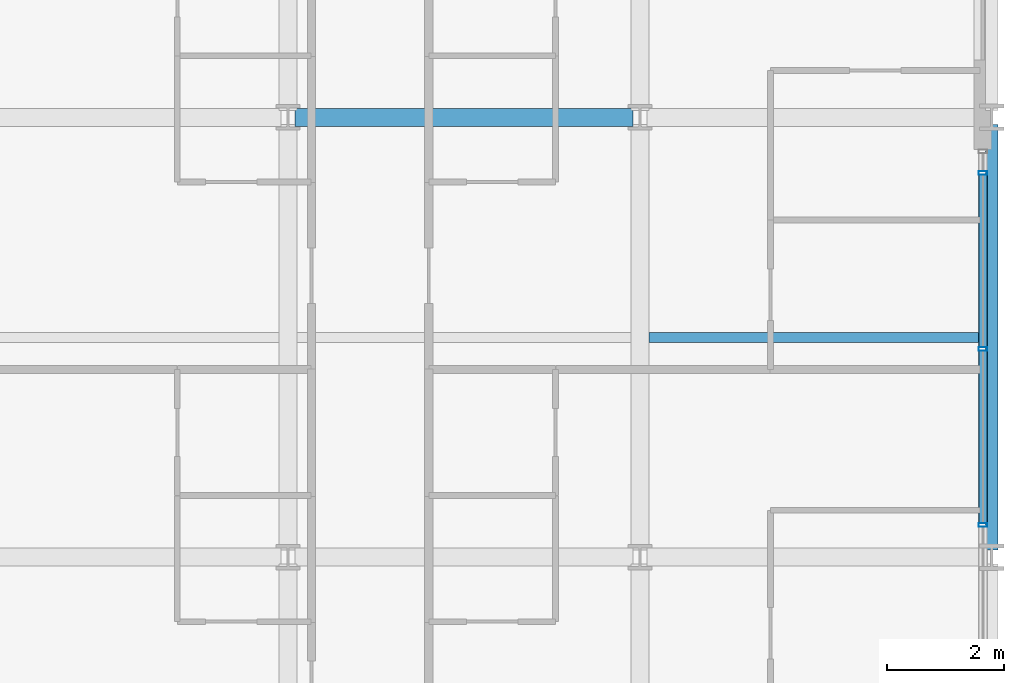
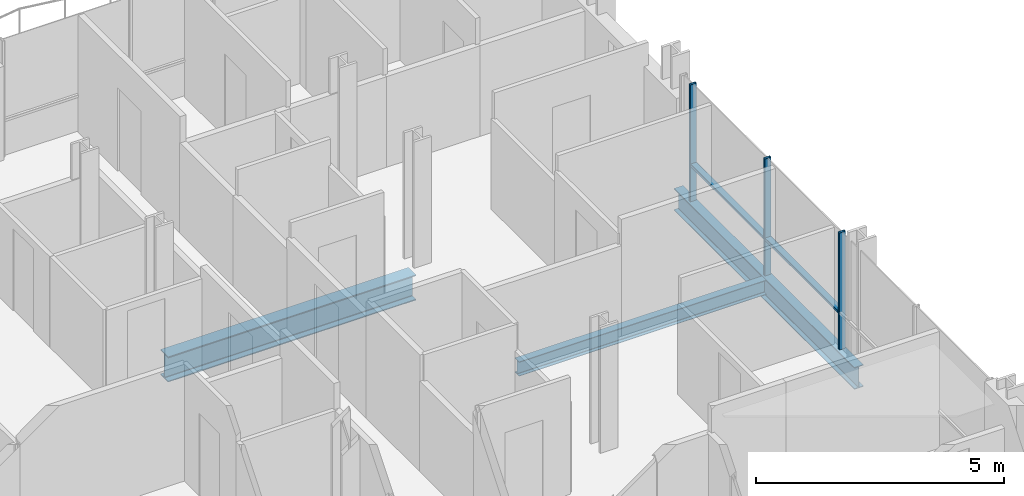
# One storey, part 19 of 40: 5 members, 3 beams, 1 element without a shape of its own.
"""IFC4 building model written with IfcOpenShell, lengths in metres."""

from ifc_helpers import new_model, si_unit, direction, frame, origin, origin_2d, place, context, subcontext, project, spatial, hollow_rectangle, i_section, extrude, material, layer, layer_set, material_profile, profile_set, type_object, element, aggregate, save


model = new_model("IFC4")

# Units and contexts
model_context = context("Model", 3, precision=1e-05, world=origin(), true_north=direction((0.0, 1.0)))
body_context = subcontext(model_context, "Body", "Model", "MODEL_VIEW")
ifc_project = project(units=[si_unit("LENGTHUNIT", "METRE"), si_unit("AREAUNIT", "SQUARE_METRE"), si_unit("VOLUMEUNIT", "CUBIC_METRE"), si_unit("PLANEANGLEUNIT", "RADIAN"), si_unit("MASSUNIT", "GRAM", prefix="KILO")], contexts=[model_context])

# Site, building, storey
site_placement = place(None, origin())
site = spatial("IfcSite", under=ifc_project, at=site_placement, CompositionType="ELEMENT")
building_placement = place(site_placement, origin())
building = spatial("IfcBuilding", under=site, at=building_placement, Name="Brevholm Reach", CompositionType="ELEMENT")
storey_placement = place(building_placement, frame((0.0, 0.0, 80.699951171875)))
storey = spatial("IfcBuildingStorey", under=building, at=storey_placement, Name="L23", CompositionType="ELEMENT", Elevation=80.699951171875)

# Beams
ifc_material_1 = material(Name="Structural Steel S355J2", Category="steel")
ifc_material_profile_1 = material_profile(ifc_material_1, i_section(OverallWidth=0.17138671875, OverallDepth=0.35498046875, WebThickness=0.00732421875, FlangeThickness=0.011474609375, FilletRadius=0.01025390625, at=origin_2d()), Name="UKB 356x171x51")
ifc_profile_set_1 = profile_set([ifc_material_profile_1], Name="Structural Steel S355J2")
beam_type_1 = type_object("IfcBeamType", Name="BM-B356", PredefinedType="BEAM", material=ifc_profile_set_1)
beam_1_placement = place(storey_placement, frame((54.153564453125, 19.75, -0.407470703125), z_axis=(1.0, 0.0, 0.0), x_axis=(0.0, 1.0, 0.0)))
element("IfcBeam", 1, at=beam_1_placement, inside=storey, type_object=beam_type_1, Name="L23 Composite Secondary Floor Beam", PredefinedType="BEAM", context=body_context, shape_type="SweptSolid", body=[
    extrude(i_section(OverallWidth=0.17138671875, OverallDepth=0.35498046875, WebThickness=0.00732421875, FlangeThickness=0.011474609375, FilletRadius=0.01025390625, at=origin_2d()), origin(), (0.0, 0.0, 1.0), 5.740966796875),
])
ifc_material_2 = material(Name="Structural Steel S355J2", Category="steel")
ifc_material_profile_2 = material_profile(ifc_material_2, i_section(OverallWidth=0.210693359375, OverallDepth=0.53955078125, WebThickness=0.01171875, FlangeThickness=0.018798828125, FilletRadius=0.0126953125, at=origin_2d()), Name="UKB 533x210x109")
ifc_profile_set_2 = profile_set([ifc_material_profile_2], Name="Structural Steel S355J2")
beam_type_2 = type_object("IfcBeamType", Name="BM-SP539", PredefinedType="SPANDREL", material=ifc_profile_set_2)
beam_2_placement = place(storey_placement, frame((60.0, 16.1201171875, -0.499755859375), z_axis=(0.0, 1.0, 0.0), x_axis=(-1.0, 0.0, 0.0)))
element("IfcBeam", 2, at=beam_2_placement, inside=storey, type_object=beam_type_2, Name="L23 SP-01B Framing Beam", PredefinedType="SPANDREL", context=body_context, shape_type="SweptSolid", body=[
    extrude(i_section(OverallWidth=0.210693359375, OverallDepth=0.53955078125, WebThickness=0.01171875, FlangeThickness=0.018798828125, FilletRadius=0.0126953125, at=origin_2d()), origin(), (0.0, 0.0, 1.0), 7.259765625),
])
ifc_material_3 = material(Name="Structural Steel S355J2", Category="steel")
ifc_material_profile_3 = material_profile(ifc_material_3, i_section(OverallWidth=0.30712890625, OverallDepth=0.6201171875, WebThickness=0.01416015625, FlangeThickness=0.023681640625, FilletRadius=0.0166015625, at=origin_2d()), Name="UKB 610x305x179")
ifc_profile_set_3 = profile_set([ifc_material_profile_3], Name="Structural Steel S355J2")
beam_type_3 = type_object("IfcBeamType", Name="BM-UKB610H", PredefinedType="USERDEFINED", material=ifc_profile_set_3)
beam_3_placement = place(storey_placement, frame((48.1201171875, 23.5, -0.5400390625), z_axis=(1.0, 0.0, 0.0), x_axis=(0.0, 1.0, 0.0)))
element("IfcBeam", 3, at=beam_3_placement, inside=storey, type_object=beam_type_3, Name="L23 G-06 Framing Beam", ObjectType="GIRDER", PredefinedType="USERDEFINED", context=body_context, shape_type="SweptSolid", body=[
    extrude(i_section(OverallWidth=0.30712890625, OverallDepth=0.6201171875, WebThickness=0.01416015625, FlangeThickness=0.023681640625, FilletRadius=0.0166015625, at=origin_2d()), origin(), (0.0, 0.0, 1.0), 5.759765625),
])

# Curtain wall, members
ifc_material_4 = material(Name="Dark Anodised Aluminium 6063-T6 and Solar-Control Glass", Category="aluminium")
ifc_layer = layer(ifc_material_4, 0.14990234375)
ifc_layer_set = layer_set([ifc_layer], Name="Dark Anodised Aluminium 6063-T6 and Solar-Control Glass")
curtain_wall_type = type_object("IfcCurtainWallType", Name="CW-01", PredefinedType="NOTDEFINED", material=ifc_layer_set)
curtain_wall_placement = place(storey_placement, origin())
curtain_wall = element("IfcCurtainWall", 4, at=curtain_wall_placement, inside=storey, type_object=curtain_wall_type, Name="L23 Curtain Wall CW-01", PredefinedType="NOTDEFINED")
ifc_material_5 = material(Name="Dark Anodised Aluminium 6063-T6", Category="aluminium")
ifc_material_profile_4 = material_profile(ifc_material_5, hollow_rectangle(XDim=0.06494140625, YDim=0.14990234375, WallThickness=0.0048828125, InnerFilletRadius=0.0048828125, OuterFilletRadius=0.010009765625, at=origin_2d()), Name="RHS 150x65x5")
ifc_profile_set_4 = profile_set([ifc_material_profile_4], Name="Dark Anodised Aluminium 6063-T6")
member_type_1 = type_object("IfcMemberType", Name="CWM-150", PredefinedType="MULLION", material=ifc_profile_set_4)
member_1_placement = place(storey_placement, frame((59.85009765625, 16.550048828125, 0.0), z_axis=(0.0, 0.0, 1.0), x_axis=(0.0, 1.0, 0.0)))
member_1 = element("IfcMember", 5, at=member_1_placement, type_object=member_type_1, Name="CM-150 Mullion 3", PredefinedType="MULLION", context=body_context, shape_type="SweptSolid", body=[
    extrude(hollow_rectangle(XDim=0.06494140625, YDim=0.14990234375, WallThickness=0.0048828125, InnerFilletRadius=0.0048828125, OuterFilletRadius=0.010009765625, at=origin_2d()), origin(), (0.0, 0.0, 1.0), 2.8701171875),
])
member_2_placement = place(storey_placement, frame((59.85009765625, 19.550048828125, 0.0), z_axis=(0.0, 0.0, 1.0), x_axis=(0.0, 1.0, 0.0)))
member_2 = element("IfcMember", 6, at=member_2_placement, type_object=member_type_1, Name="CM-150 Mullion 4", PredefinedType="MULLION", context=body_context, shape_type="SweptSolid", body=[
    extrude(hollow_rectangle(XDim=0.06494140625, YDim=0.14990234375, WallThickness=0.0048828125, InnerFilletRadius=0.0048828125, OuterFilletRadius=0.010009765625, at=origin_2d()), origin(), (0.0, 0.0, 1.0), 2.8701171875),
])
member_3_placement = place(storey_placement, frame((59.85009765625, 22.550048828125, 0.0), z_axis=(0.0, 0.0, 1.0), x_axis=(0.0, 1.0, 0.0)))
member_3 = element("IfcMember", 7, at=member_3_placement, type_object=member_type_1, Name="CM-150 Mullion 5", PredefinedType="MULLION", context=body_context, shape_type="SweptSolid", body=[
    extrude(hollow_rectangle(XDim=0.06494140625, YDim=0.14990234375, WallThickness=0.0048828125, InnerFilletRadius=0.0048828125, OuterFilletRadius=0.010009765625, at=origin_2d()), origin(), (0.0, 0.0, 1.0), 2.8701171875),
])
ifc_material_6 = material(Name="Dark Anodised Aluminium 6063-T6", Category="aluminium")
ifc_material_profile_5 = material_profile(ifc_material_6, hollow_rectangle(XDim=0.06494140625, YDim=0.14990234375, WallThickness=0.0048828125, InnerFilletRadius=0.0048828125, OuterFilletRadius=0.010009765625, at=origin_2d()), Name="RHS 150x65x5")
ifc_profile_set_5 = profile_set([ifc_material_profile_5], Name="Dark Anodised Aluminium 6063-T6")
member_type_2 = type_object("IfcMemberType", Name="CWT-150", PredefinedType="NOTDEFINED", material=ifc_profile_set_5)
member_4_placement = place(storey_placement, frame((59.85009765625, 16.58251953125, 0.900146484375), z_axis=(0.0, 1.0, 0.0), x_axis=(0.0, 0.0, 1.0)))
member_4 = element("IfcMember", 8, at=member_4_placement, type_object=member_type_2, Name="CT-150 Transom 3.1", ObjectType="TRANSOM", PredefinedType="USERDEFINED", context=body_context, shape_type="SweptSolid", body=[
    extrude(hollow_rectangle(XDim=0.06494140625, YDim=0.14990234375, WallThickness=0.0048828125, InnerFilletRadius=0.0048828125, OuterFilletRadius=0.010009765625, at=origin_2d()), origin(), (0.0, 0.0, 1.0), 2.93505859375),
])
member_5_placement = place(storey_placement, frame((59.85009765625, 19.58251953125, 0.900146484375), z_axis=(0.0, 1.0, 0.0), x_axis=(0.0, 0.0, 1.0)))
member_5 = element("IfcMember", 9, at=member_5_placement, type_object=member_type_2, Name="CT-150 Transom 4.1", ObjectType="TRANSOM", PredefinedType="USERDEFINED", context=body_context, shape_type="SweptSolid", body=[
    extrude(hollow_rectangle(XDim=0.06494140625, YDim=0.14990234375, WallThickness=0.0048828125, InnerFilletRadius=0.0048828125, OuterFilletRadius=0.010009765625, at=origin_2d()), origin(), (0.0, 0.0, 1.0), 2.93505859375),
])
aggregate(curtain_wall, [member_1, member_2, member_3, member_4, member_5])

save(model, "model.ifc")
